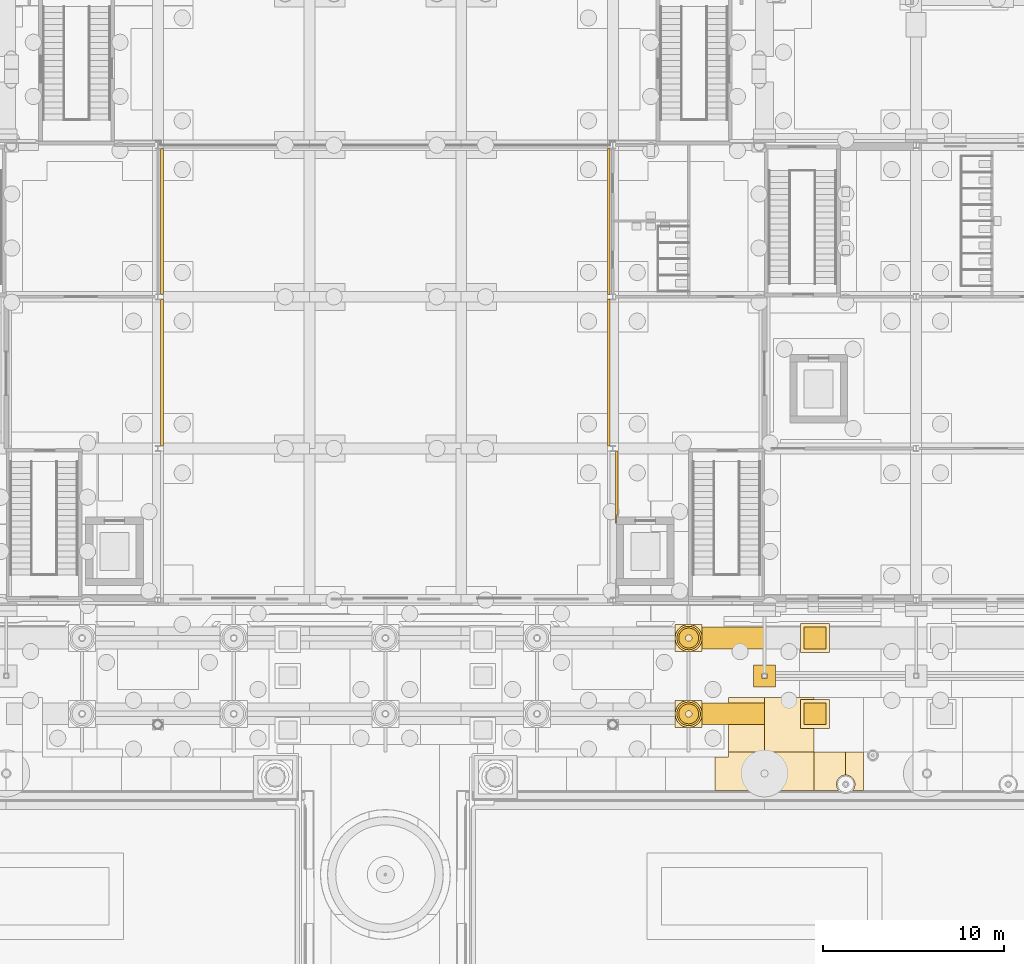
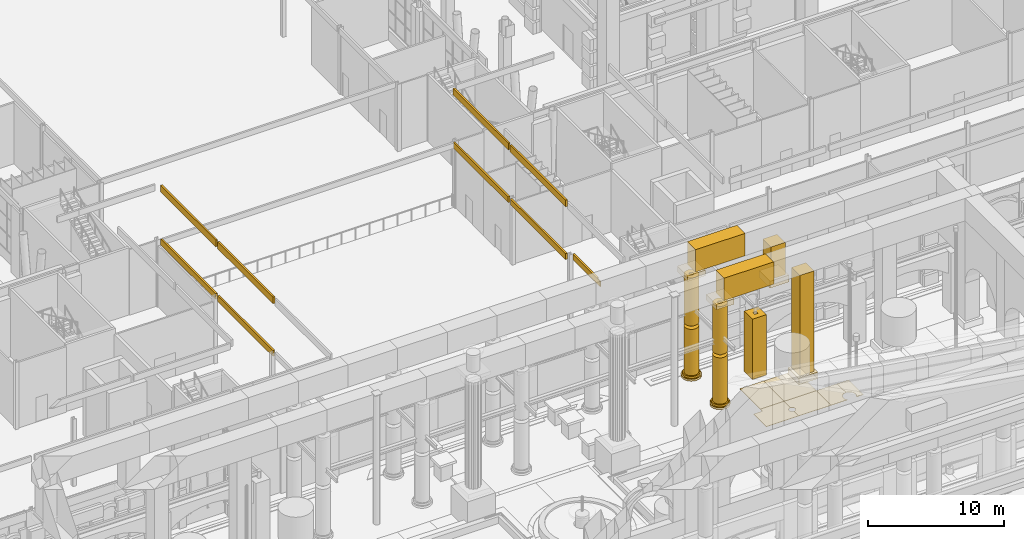
# One storey, part 131 of 222: 32 coverings.
"""IFC4 building model written with IfcOpenShell, lengths in metres."""

from ifc_helpers import new_model, si_unit, direction, frame, origin, origin_2d, place, context, subcontext, project, spatial, polyline, rectangle, hollow_rectangle, hollow_circle, outline, extrude, material, layer, layer_set, material_profile, profile_set, type_object, element, save


model = new_model("IFC4")

# Units and contexts
model_context = context("Model", 3, precision=1e-05, world=origin(), true_north=direction((0.0, 1.0)))
body_context = subcontext(model_context, "Body", "Model", "MODEL_VIEW")
ifc_project = project(units=[si_unit("LENGTHUNIT", "METRE"), si_unit("AREAUNIT", "SQUARE_METRE"), si_unit("VOLUMEUNIT", "CUBIC_METRE"), si_unit("PLANEANGLEUNIT", "RADIAN"), si_unit("MASSUNIT", "GRAM", prefix="KILO")], contexts=[model_context])

# Site, building, storey
site_placement = place(None, origin())
site = spatial("IfcSite", under=ifc_project, at=site_placement, CompositionType="ELEMENT")
building_placement = place(site_placement, origin())
building = spatial("IfcBuilding", under=site, at=building_placement, Name="Sava Quay Ferry Terminal", CompositionType="ELEMENT")
storey_placement = place(building_placement, origin())
storey = spatial("IfcBuildingStorey", under=building, at=storey_placement, Name="L00", CompositionType="ELEMENT", Elevation=0.0)

# Coverings
ifc_material_1 = material(Name="Limestone Mutalj ashlar", Category="masonry")
ifc_material_profile_1 = material_profile(ifc_material_1, hollow_rectangle(XDim=1.199951171875, YDim=1.199951171875, WallThickness=0.462890625, at=origin_2d()), Name="Arcade pier 1200")
ifc_profile_set_1 = profile_set([ifc_material_profile_1], Name="Limestone Mutalj ashlar")
covering_type_1 = type_object("IfcCoveringType", Name="Arcade pier 1200", PredefinedType="CLADDING", material=ifc_profile_set_1)
covering_1_placement = place(storey_placement, frame((84.0, 21.0, 0.0), z_axis=(0.0, 0.0, 1.0), x_axis=(1.0, 0.0, 0.0)))
element("IfcCovering", 1, at=covering_1_placement, inside=storey, type_object=covering_type_1, Name="Arcade pier", PredefinedType="CLADDING", context=body_context, shape_type="SweptSolid", body=[
    extrude(hollow_rectangle(XDim=1.199951171875, YDim=1.199951171875, WallThickness=0.462890625, at=origin_2d()), origin(), (0.0, 0.0, 1.0), 5.39990234375),
])
ifc_material_2 = material(Name="Limestone Mutalj", Category="masonry")
ifc_layer_1 = layer(ifc_material_2, 0.030029296875)
ifc_layer_set_1 = layer_set([ifc_layer_1], Name="Limestone Mutalj")
covering_type_2 = type_object("IfcCoveringType", Name="Court paving tile 30", PredefinedType="FLOORING", material=ifc_layer_set_1)
covering_2_placement = place(storey_placement, origin())
element("IfcCovering", 2, at=covering_2_placement, inside=storey, type_object=covering_type_2, Name="Limestone paving tile", PredefinedType="FLOORING", context=body_context, shape_type="SweptSolid", body=[
    extrude(outline(polyline([(84.0, 16.800048828125), (84.0, 19.800048828125), (82.0, 19.800048828125), (82.0, 16.800048828125), (84.0, 16.800048828125)])), origin(), (0.0, 0.0, 1.0), 0.030029296875),
])
covering_3_placement = place(storey_placement, origin())
element("IfcCovering", 3, at=covering_3_placement, inside=storey, type_object=covering_type_2, Name="Limestone paving tile", PredefinedType="FLOORING", context=body_context, shape_type="SweptSolid", body=[
    extrude(outline(polyline([(86.739990234375, 16.800048828125), (84.0, 16.800048828125), (84.0, 15.860107421875), (84.02587890625, 15.85888671875), (84.051025390625, 15.85498046875), (84.075927734375, 15.84912109375), (84.10009765625, 15.840087890625), (84.123046875, 15.8291015625), (84.14501953125, 15.81591796875), (84.1650390625, 15.801025390625), (84.18408203125, 15.782958984375), (84.200927734375, 15.764892578125), (84.216064453125, 15.743896484375), (84.22998046875, 15.721923828125), (84.239990234375, 15.698974609375), (84.2490234375, 15.675048828125), (84.2548828125, 15.64990234375), (84.259033203125, 15.625), (84.260009765625, 15.60009765625), (84.259033203125, 15.573974609375), (84.2548828125, 15.549072265625), (84.2490234375, 15.52392578125), (84.239990234375, 15.5), (84.22900390625, 15.47705078125), (84.216064453125, 15.455078125), (84.200927734375, 15.43505859375), (84.18310546875, 15.416015625), (84.1650390625, 15.39892578125), (84.14404296875, 15.384033203125), (84.1220703125, 15.3701171875), (84.09912109375, 15.360107421875), (84.074951171875, 15.35107421875), (84.050048828125, 15.344970703125), (84.02490234375, 15.341064453125), (84.0, 15.340087890625), (84.0, 14.64990234375), (86.739990234375, 14.64990234375), (86.739990234375, 16.800048828125)])), origin(), (0.0, 0.0, 1.0), 0.030029296875),
])
ifc_material_3 = material(Name="Red sandstone Vrsac", Category="masonry")
ifc_layer_2 = layer(ifc_material_3, 0.030029296875)
ifc_layer_set_2 = layer_set([ifc_layer_2], Name="Red sandstone Vrsac")
covering_type_3 = type_object("IfcCoveringType", Name="Court paving tile sandstone 30", PredefinedType="FLOORING", material=ifc_layer_set_2)
covering_4_placement = place(storey_placement, origin())
element("IfcCovering", 4, at=covering_4_placement, inside=storey, type_object=covering_type_3, Name="Sandstone paving tile", PredefinedType="FLOORING", context=body_context, shape_type="SweptSolid", body=[
    extrude(outline(polyline([(86.739990234375, 16.800048828125), (86.739990234375, 19.800048828125), (84.0, 19.800048828125), (84.0, 16.800048828125), (86.739990234375, 16.800048828125)])), origin(), (0.0, 0.0, 1.0), 0.030029296875),
])
covering_5_placement = place(storey_placement, origin())
element("IfcCovering", 5, at=covering_5_placement, inside=storey, type_object=covering_type_3, Name="Sandstone paving tile", PredefinedType="FLOORING", context=body_context, shape_type="SweptSolid", body=[
    extrude(outline(polyline([(81.260009765625, 16.5), (81.260009765625, 14.64990234375), (84.0, 14.64990234375), (84.0, 15.340087890625), (83.97412109375, 15.341064453125), (83.948974609375, 15.344970703125), (83.924072265625, 15.35107421875), (83.89990234375, 15.360107421875), (83.876953125, 15.37109375), (83.85498046875, 15.384033203125), (83.8349609375, 15.39892578125), (83.81591796875, 15.4169921875), (83.799072265625, 15.43505859375), (83.783935546875, 15.4560546875), (83.77001953125, 15.47802734375), (83.760009765625, 15.5009765625), (83.7509765625, 15.52490234375), (83.7451171875, 15.550048828125), (83.740966796875, 15.574951171875), (83.739990234375, 15.60009765625), (83.740966796875, 15.6259765625), (83.7451171875, 15.65087890625), (83.7509765625, 15.676025390625), (83.760009765625, 15.699951171875), (83.77099609375, 15.722900390625), (83.783935546875, 15.7451171875), (83.799072265625, 15.764892578125), (83.81689453125, 15.783935546875), (83.8349609375, 15.801025390625), (83.85595703125, 15.81591796875), (83.8779296875, 15.830078125), (83.90087890625, 15.840087890625), (83.925048828125, 15.84912109375), (83.949951171875, 15.85498046875), (83.97509765625, 15.85888671875), (84.0, 15.860107421875), (84.0, 16.800048828125), (82.0, 16.800048828125), (82.0, 16.5), (81.260009765625, 16.5)])), origin(), (0.0, 0.0, 1.0), 0.030029296875),
])
covering_6_placement = place(storey_placement, origin())
element("IfcCovering", 6, at=covering_6_placement, inside=storey, type_object=covering_type_3, Name="Sandstone paving tile", PredefinedType="FLOORING", context=body_context, shape_type="SweptSolid", body=[
    extrude(outline(polyline([(88.5, 15.510009765625), (88.5, 16.800048828125), (86.739990234375, 16.800048828125), (86.739990234375, 14.64990234375), (88.1298828125, 14.64990234375), (88.10498046875, 14.677001953125), (88.075927734375, 14.717041015625), (88.050048828125, 14.760009765625), (88.029052734375, 14.804931640625), (88.011962890625, 14.85205078125), (88.0, 14.90087890625), (87.991943359375, 14.950927734375), (87.989990234375, 15.0), (87.992919921875, 15.050048828125), (88.0, 15.10009765625), (88.011962890625, 15.14892578125), (88.029052734375, 15.196044921875), (88.050048828125, 15.240966796875), (88.075927734375, 15.283935546875), (88.10595703125, 15.323974609375), (88.139892578125, 15.361083984375), (88.177001953125, 15.39501953125), (88.217041015625, 15.424072265625), (88.260009765625, 15.449951171875), (88.304931640625, 15.470947265625), (88.35205078125, 15.488037109375), (88.40087890625, 15.5), (88.450927734375, 15.508056640625), (88.5, 15.510009765625)])), origin(), (0.0, 0.0, 1.0), 0.030029296875),
])
covering_7_placement = place(storey_placement, origin())
element("IfcCovering", 7, at=covering_7_placement, inside=storey, type_object=covering_type_3, Name="Sandstone paving tile", PredefinedType="FLOORING", context=body_context, shape_type="SweptSolid", body=[
    extrude(outline(polyline([(89.47998046875, 14.64990234375), (89.47998046875, 16.800048828125), (88.5, 16.800048828125), (88.5, 15.510009765625), (88.550048828125, 15.507080078125), (88.60009765625, 15.5), (88.64892578125, 15.488037109375), (88.696044921875, 15.470947265625), (88.740966796875, 15.449951171875), (88.783935546875, 15.424072265625), (88.823974609375, 15.39404296875), (88.861083984375, 15.360107421875), (88.89501953125, 15.322998046875), (88.924072265625, 15.282958984375), (88.949951171875, 15.239990234375), (88.970947265625, 15.195068359375), (88.988037109375, 15.14794921875), (89.0, 15.09912109375), (89.008056640625, 15.049072265625), (89.010009765625, 15.0), (89.007080078125, 14.949951171875), (89.0, 14.89990234375), (88.988037109375, 14.85107421875), (88.970947265625, 14.803955078125), (88.949951171875, 14.759033203125), (88.924072265625, 14.716064453125), (88.89404296875, 14.676025390625), (88.8701171875, 14.64990234375), (89.47998046875, 14.64990234375)])), origin(), (0.0, 0.0, 1.0), 0.030029296875),
])
ifc_material_4 = material(Name="Limestone Mutalj ashlar", Category="masonry")
ifc_material_profile_2 = material_profile(ifc_material_4, hollow_circle(Radius=0.75, WallThickness=0.199951171875, at=origin_2d()), Name="Base plinth 1500")
ifc_profile_set_2 = profile_set([ifc_material_profile_2], Name="Limestone Mutalj ashlar")
covering_type_4 = type_object("IfcCoveringType", Name="Giant-order base plinth 1500", PredefinedType="CLADDING", material=ifc_profile_set_2)
for number, where, z_axis, x_axis, name in (
    (8, (79.800048828125, 18.89990234375, 0.0), (0.0, 0.0, 1.0), (1.0, 0.0, 0.0), "Giant-order base plinth"),
    (9, (79.800048828125, 23.10009765625, 0.0), (0.0, 0.0, 1.0), (1.0, 0.0, 0.0), "Giant-order base plinth"),
):
    element("IfcCovering", number, at=place(storey_placement, frame(where, z_axis=z_axis, x_axis=x_axis)), inside=storey, type_object=covering_type_4, Name=name, PredefinedType="CLADDING", context=body_context, shape_type="SweptSolid", body=[
        extrude(hollow_circle(Radius=0.75, WallThickness=0.199951171875, at=origin_2d()), origin(), (0.0, 0.0, 1.0), 0.179931640625),
    ])
ifc_material_5 = material(Name="Limestone Mutalj ashlar", Category="masonry")
ifc_material_profile_3 = material_profile(ifc_material_5, hollow_circle(Radius=0.64990234375, WallThickness=0.10009765625, at=origin_2d()), Name="Base roll 1300")
ifc_profile_set_3 = profile_set([ifc_material_profile_3], Name="Limestone Mutalj ashlar")
covering_type_5 = type_object("IfcCoveringType", Name="Giant-order base roll 1300", PredefinedType="CLADDING", material=ifc_profile_set_3)
for number, where, z_axis, x_axis, name in (
    (10, (79.800048828125, 18.89990234375, 0.179931640625), (0.0, 0.0, 1.0), (1.0, 0.0, 0.0), "Giant-order base roll"),
    (11, (79.800048828125, 23.10009765625, 0.179931640625), (0.0, 0.0, 1.0), (1.0, 0.0, 0.0), "Giant-order base roll"),
):
    element("IfcCovering", number, at=place(storey_placement, frame(where, z_axis=z_axis, x_axis=x_axis)), inside=storey, type_object=covering_type_5, Name=name, PredefinedType="CLADDING", context=body_context, shape_type="SweptSolid", body=[
        extrude(hollow_circle(Radius=0.64990234375, WallThickness=0.10009765625, at=origin_2d()), origin(), (0.0, 0.0, 1.0), 0.18017578125),
    ])
ifc_material_6 = material(Name="Limestone Mutalj", Category="masonry")
ifc_layer_3 = layer(ifc_material_6, 0.5)
ifc_layer_set_3 = layer_set([ifc_layer_3], Name="Limestone Mutalj")
covering_type_6 = type_object("IfcCoveringType", Name="Giant-order capital 1500", PredefinedType="CLADDING", material=ifc_layer_set_3)
for number, where, z_axis, x_axis, name in (
    (12, (79.800048828125, 18.89990234375, 9.10009765625), (0.0, 0.0, 1.0), (1.0, 0.0, 0.0), "Giant-order capital"),
    (13, (79.800048828125, 23.10009765625, 9.10009765625), (0.0, 0.0, 1.0), (1.0, 0.0, 0.0), "Giant-order capital"),
):
    element("IfcCovering", number, at=place(storey_placement, frame(where, z_axis=z_axis, x_axis=x_axis)), inside=storey, type_object=covering_type_6, Name=name, PredefinedType="CLADDING", context=body_context, shape_type="SweptSolid", body=[
        extrude(rectangle(XDim=1.5, YDim=1.5, at=origin_2d()), origin(), (0.0, 0.0, 1.0), 0.5),
    ])
ifc_material_7 = material(Name="Limestone Mutalj ashlar", Category="masonry")
ifc_material_profile_4 = material_profile(ifc_material_7, hollow_circle(Radius=0.550048828125, WallThickness=0.37158203125, at=origin_2d()), Name="Stone shaft D1100")
ifc_profile_set_4 = profile_set([ifc_material_profile_4], Name="Limestone Mutalj ashlar")
covering_type_7 = type_object("IfcCoveringType", Name="Giant-order stone shaft D1100", PredefinedType="CLADDING", material=ifc_profile_set_4)
covering_8_placement = place(storey_placement, frame((79.800048828125, 18.89990234375, 0.0), z_axis=(0.0, 0.0, 1.0), x_axis=(1.0, 0.0, 0.0)))
element("IfcCovering", 14, at=covering_8_placement, inside=storey, type_object=covering_type_7, Name="Giant-order column shaft", PredefinedType="CLADDING", context=body_context, shape_type="SweptSolid", body=[
    extrude(hollow_circle(Radius=0.550048828125, WallThickness=0.37158203125, at=origin_2d()), origin(), (0.0, 0.0, 1.0), 4.5),
])
covering_9_placement = place(storey_placement, frame((79.800048828125, 18.89990234375, 4.800048828125), z_axis=(0.0, 0.0, 1.0), x_axis=(1.0, 0.0, 0.0)))
element("IfcCovering", 15, at=covering_9_placement, inside=storey, type_object=covering_type_7, Name="Giant-order column shaft", PredefinedType="CLADDING", context=body_context, shape_type="SweptSolid", body=[
    extrude(hollow_circle(Radius=0.550048828125, WallThickness=0.37158203125, at=origin_2d()), origin(), (0.0, 0.0, 1.0), 4.300048828125),
])
covering_10_placement = place(storey_placement, frame((79.800048828125, 23.10009765625, 0.0), z_axis=(0.0, 0.0, 1.0), x_axis=(1.0, 0.0, 0.0)))
element("IfcCovering", 16, at=covering_10_placement, inside=storey, type_object=covering_type_7, Name="Giant-order column shaft", PredefinedType="CLADDING", context=body_context, shape_type="SweptSolid", body=[
    extrude(hollow_circle(Radius=0.550048828125, WallThickness=0.37158203125, at=origin_2d()), origin(), (0.0, 0.0, 1.0), 4.5),
])
covering_11_placement = place(storey_placement, frame((79.800048828125, 23.10009765625, 4.800048828125), z_axis=(0.0, 0.0, 1.0), x_axis=(1.0, 0.0, 0.0)))
element("IfcCovering", 17, at=covering_11_placement, inside=storey, type_object=covering_type_7, Name="Giant-order column shaft", PredefinedType="CLADDING", context=body_context, shape_type="SweptSolid", body=[
    extrude(hollow_circle(Radius=0.550048828125, WallThickness=0.37158203125, at=origin_2d()), origin(), (0.0, 0.0, 1.0), 4.300048828125),
])
ifc_material_8 = material(Name="Limestone Mutalj", Category="masonry")
ifc_layer_4 = layer(ifc_material_8, 2.0)
ifc_layer_set_4 = layer_set([ifc_layer_4], Name="Limestone Mutalj")
covering_type_8 = type_object("IfcCoveringType", Name="Portico entablature 2000", PredefinedType="CLADDING", material=ifc_layer_set_4)
for number, where, z_axis, x_axis, name in (
    (18, (81.89990234375, 18.89990234375, 9.60009765625), (0.0, 0.0, 1.0), (1.0, 0.0, 0.0), "Portico entablature"),
    (19, (81.89990234375, 23.10009765625, 9.60009765625), (0.0, 0.0, 1.0), (1.0, 0.0, 0.0), "Portico entablature"),
):
    element("IfcCovering", number, at=place(storey_placement, frame(where, z_axis=z_axis, x_axis=x_axis)), inside=storey, type_object=covering_type_8, Name=name, PredefinedType="CLADDING", context=body_context, shape_type="SweptSolid", body=[
        extrude(rectangle(XDim=4.199951171875, YDim=1.199951171875, at=origin_2d()), origin(), (0.0, 0.0, 1.0), 2.0),
    ])
ifc_material_9 = material(Name="Limestone Mutalj", Category="masonry")
ifc_layer_5 = layer(ifc_material_9, 1.199951171875)
ifc_layer_set_5 = layer_set([ifc_layer_5], Name="Limestone Mutalj")
covering_type_9 = type_object("IfcCoveringType", Name="Return pier 1200", PredefinedType="CLADDING", material=ifc_layer_set_5)
covering_12_placement = place(storey_placement, frame((86.800048828125, 18.89990234375, 0.60009765625), z_axis=(0.0, 0.0, 1.0), x_axis=(1.0, 0.0, 0.0)))
element("IfcCovering", 20, at=covering_12_placement, inside=storey, type_object=covering_type_9, Name="Return pier", PredefinedType="CLADDING", context=body_context, shape_type="SweptSolid", body=[
    extrude(rectangle(XDim=1.199951171875, YDim=1.199951171875, at=origin_2d()), origin(), (0.0, 0.0, 1.0), 9.0),
])
covering_13_placement = place(storey_placement, frame((86.800048828125, 23.10009765625, 6.719970703125), z_axis=(0.0, 0.0, 1.0), x_axis=(1.0, 0.0, 0.0)))
element("IfcCovering", 21, at=covering_13_placement, inside=storey, type_object=covering_type_9, Name="Return pier", PredefinedType="CLADDING", context=body_context, shape_type="SweptSolid", body=[
    extrude(rectangle(XDim=1.199951171875, YDim=1.199951171875, at=origin_2d()), origin(), (0.0, 0.0, 1.0), 2.8798828125),
])
ifc_material_10 = material(Name="Limestone Mutalj", Category="masonry")
ifc_layer_6 = layer(ifc_material_10, 1.60009765625)
ifc_layer_set_6 = layer_set([ifc_layer_6], Name="Limestone Mutalj")
covering_type_10 = type_object("IfcCoveringType", Name="Return pier base 1600", PredefinedType="MOLDING", material=ifc_layer_set_6)
for number, where, z_axis, x_axis, name in (
    (22, (86.800048828125, 18.89990234375, 0.0), (0.0, 0.0, 1.0), (1.0, 0.0, 0.0), "Return pier base"),
    (23, (86.800048828125, 23.10009765625, 6.119873046875), (0.0, 0.0, 1.0), (1.0, 0.0, 0.0), "Return pier base"),
):
    element("IfcCovering", number, at=place(storey_placement, frame(where, z_axis=z_axis, x_axis=x_axis)), inside=storey, type_object=covering_type_10, Name=name, PredefinedType="MOLDING", context=body_context, shape_type="SweptSolid", body=[
        extrude(rectangle(XDim=1.60009765625, YDim=1.60009765625, at=origin_2d()), origin(), (0.0, 0.0, 1.0), 0.60009765625),
    ])
ifc_material_11 = material(Name="Limestone Mutalj", Category="masonry")
ifc_layer_7 = layer(ifc_material_11, 0.14990234375)
ifc_layer_set_7 = layer_set([ifc_layer_7], Name="Limestone Mutalj")
covering_type_11 = type_object("IfcCoveringType", Name="Slab edge fascia 150", PredefinedType="CLADDING", material=ifc_layer_set_7)
covering_14_placement = place(storey_placement, frame((0.0, 0.0, 5.47998046875)))
element("IfcCovering", 24, at=covering_14_placement, inside=storey, type_object=covering_type_11, Name="Slab edge fascia", PredefinedType="CLADDING", context=body_context, shape_type="SweptSolid", body=[
    extrude(outline(polyline([(50.548095703125, 41.85009765625), (50.548095703125, 33.75), (50.697998046875, 33.75), (50.697998046875, 41.85009765625), (50.548095703125, 41.85009765625)])), origin(), (0.0, 0.0, 1.0), 0.52001953125),
])
covering_15_placement = place(storey_placement, frame((0.0, 0.0, 5.47998046875)))
element("IfcCovering", 25, at=covering_15_placement, inside=storey, type_object=covering_type_11, Name="Slab edge fascia", PredefinedType="CLADDING", context=body_context, shape_type="SweptSolid", body=[
    extrude(outline(polyline([(50.548095703125, 50.199951171875), (50.548095703125, 42.14990234375), (50.697998046875, 42.14990234375), (50.697998046875, 50.199951171875), (50.548095703125, 50.199951171875)])), origin(), (0.0, 0.0, 1.0), 0.52001953125),
])
covering_16_placement = place(storey_placement, frame((0.0, 0.0, 5.47998046875)))
element("IfcCovering", 26, at=covering_16_placement, inside=storey, type_object=covering_type_11, Name="Slab edge fascia", PredefinedType="CLADDING", context=body_context, shape_type="SweptSolid", body=[
    extrude(outline(polyline([(75.748046875, 33.449951171875), (75.748046875, 29.449951171875), (75.800048828125, 29.449951171875), (75.800048828125, 29.919921875), (75.89794921875, 29.919921875), (75.89794921875, 33.449951171875), (75.748046875, 33.449951171875)])), origin(), (0.0, 0.0, 1.0), 0.52001953125),
])
covering_17_placement = place(storey_placement, frame((0.0, 0.0, 5.47998046875)))
element("IfcCovering", 27, at=covering_17_placement, inside=storey, type_object=covering_type_11, Name="Slab edge fascia", PredefinedType="CLADDING", context=body_context, shape_type="SweptSolid", body=[
    extrude(outline(polyline([(75.302001953125, 33.75), (75.451904296875, 33.75), (75.451904296875, 41.85009765625), (75.302001953125, 41.85009765625), (75.302001953125, 33.75)])), origin(), (0.0, 0.0, 1.0), 0.52001953125),
])
covering_18_placement = place(storey_placement, frame((0.0, 0.0, 5.47998046875)))
element("IfcCovering", 28, at=covering_18_placement, inside=storey, type_object=covering_type_11, Name="Slab edge fascia", PredefinedType="CLADDING", context=body_context, shape_type="SweptSolid", body=[
    extrude(outline(polyline([(75.302001953125, 42.14990234375), (75.451904296875, 42.14990234375), (75.451904296875, 50.199951171875), (75.302001953125, 50.199951171875), (75.302001953125, 42.14990234375)])), origin(), (0.0, 0.0, 1.0), 0.52001953125),
])
covering_19_placement = place(storey_placement, frame((0.0, 0.0, 10.199951171875)))
element("IfcCovering", 29, at=covering_19_placement, inside=storey, type_object=covering_type_11, Name="Slab edge fascia", PredefinedType="CLADDING", context=body_context, shape_type="SweptSolid", body=[
    extrude(outline(polyline([(50.548095703125, 41.8701171875), (50.548095703125, 33.72998046875), (50.697998046875, 33.72998046875), (50.697998046875, 41.8701171875), (50.548095703125, 41.8701171875)])), origin(), (0.0, 0.0, 1.0), 0.60009765625),
])
covering_20_placement = place(storey_placement, frame((0.0, 0.0, 10.199951171875)))
element("IfcCovering", 30, at=covering_20_placement, inside=storey, type_object=covering_type_11, Name="Slab edge fascia", PredefinedType="CLADDING", context=body_context, shape_type="SweptSolid", body=[
    extrude(outline(polyline([(50.548095703125, 50.219970703125), (50.548095703125, 42.1298828125), (50.697998046875, 42.1298828125), (50.697998046875, 50.219970703125), (50.548095703125, 50.219970703125)])), origin(), (0.0, 0.0, 1.0), 0.60009765625),
])
covering_21_placement = place(storey_placement, frame((0.0, 0.0, 10.199951171875)))
element("IfcCovering", 31, at=covering_21_placement, inside=storey, type_object=covering_type_11, Name="Slab edge fascia", PredefinedType="CLADDING", context=body_context, shape_type="SweptSolid", body=[
    extrude(outline(polyline([(75.302001953125, 33.72998046875), (75.451904296875, 33.72998046875), (75.451904296875, 41.8701171875), (75.302001953125, 41.8701171875), (75.302001953125, 33.72998046875)])), origin(), (0.0, 0.0, 1.0), 0.60009765625),
])
covering_22_placement = place(storey_placement, frame((0.0, 0.0, 10.199951171875)))
element("IfcCovering", 32, at=covering_22_placement, inside=storey, type_object=covering_type_11, Name="Slab edge fascia", PredefinedType="CLADDING", context=body_context, shape_type="SweptSolid", body=[
    extrude(outline(polyline([(75.302001953125, 42.1298828125), (75.451904296875, 42.1298828125), (75.451904296875, 50.219970703125), (75.302001953125, 50.219970703125), (75.302001953125, 42.1298828125)])), origin(), (0.0, 0.0, 1.0), 0.60009765625),
])

save(model, "model.ifc")
